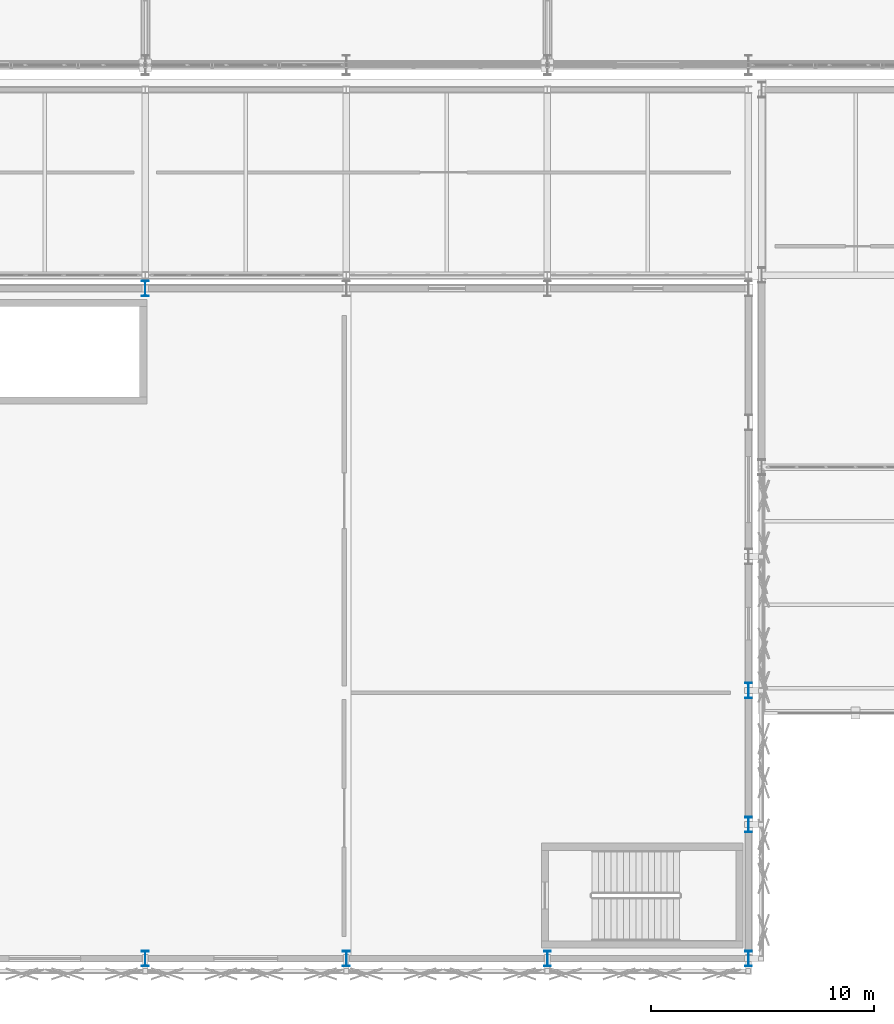
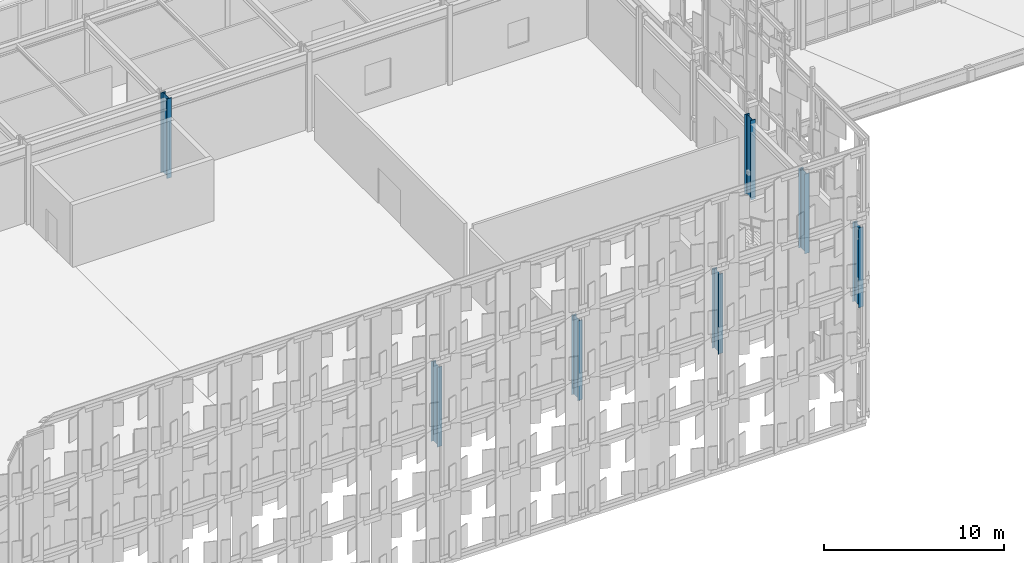
# One storey, part 3 of 239: 7 columns.
"""IFC4 building model written with IfcOpenShell, lengths in metres."""

from ifc_helpers import new_model, si_unit, direction, frame, origin, origin_2d, place, context, subcontext, project, spatial, i_section, extrude, material, material_profile, profile_set, type_object, element, save


model = new_model("IFC4")

# Units and contexts
model_context = context("Model", 3, precision=1e-05, world=origin(), true_north=direction((0.0, 1.0)))
body_context = subcontext(model_context, "Body", "Model", "MODEL_VIEW")
ifc_project = project(units=[si_unit("LENGTHUNIT", "METRE"), si_unit("AREAUNIT", "SQUARE_METRE"), si_unit("VOLUMEUNIT", "CUBIC_METRE"), si_unit("PLANEANGLEUNIT", "RADIAN"), si_unit("MASSUNIT", "GRAM", prefix="KILO")], contexts=[model_context])

# Site, building, storey
site_placement = place(None, origin())
site = spatial("IfcSite", under=ifc_project, at=site_placement, CompositionType="ELEMENT")
building_placement = place(site_placement, origin())
building = spatial("IfcBuilding", under=site, at=building_placement, Name="Kaldris Quays Convention Centre", CompositionType="ELEMENT")
storey_placement = place(building_placement, frame((0.0, 0.0, 11.39990234375)))
storey = spatial("IfcBuildingStorey", under=building, at=storey_placement, Name="L02", CompositionType="ELEMENT", Elevation=11.39990234375)

# Columns
ifc_material = material(Name="Steel S355J2", Category="steel")
ifc_material_profile = material_profile(ifc_material, i_section(OverallWidth=0.300048828125, OverallDepth=0.699951171875, WebThickness=0.01708984375, FlangeThickness=0.031982421875, FilletRadius=0.027099609375, at=origin_2d()), Name="HEB 700")
ifc_profile_set = profile_set([ifc_material_profile], Name="Steel S355J2")
column_type = type_object("IfcColumnType", Name="STRUCTURAL COLUMN CL05", PredefinedType="COLUMN", material=ifc_profile_set)
for number, where, z_axis, x_axis, name in (
    (1, (56.0, 16.0, 0.0), (0.0, 0.0, 1.0), (1.0, 0.0, 0.0), "L02 V3 Column CL05 (56.00, 16.00)"),
    (2, (56.0, 46.0, 0.0), (0.0, 0.0, 1.0), (1.0, 0.0, 0.0), "L02 V3 Column CL05 (56.00, 46.00)"),
    (3, (65.0, 16.0, 0.0), (0.0, 0.0, 1.0), (1.0, 0.0, 0.0), "L02 V3 Column CL05 (65.00, 16.00)"),
    (4, (74.0, 16.0, 0.0), (0.0, 0.0, 1.0), (1.0, 0.0, 0.0), "L02 V3 Column CL05 (74.00, 16.00)"),
    (5, (83.0, 16.0, 0.0), (0.0, 0.0, 1.0), (1.0, 0.0, 0.0), "L02 V3 Column CL05 (83.00, 16.00)"),
    (6, (83.0, 22.0, 0.0), (0.0, 0.0, 1.0), (1.0, 0.0, 0.0), "L02 V3 Column CL05 (83.00, 22.00)"),
    (7, (83.0, 28.0, 0.0), (0.0, 0.0, 1.0), (1.0, 0.0, 0.0), "L02 V3 Column CL05 (83.00, 28.00)"),
):
    element("IfcColumn", number, at=place(storey_placement, frame(where, z_axis=z_axis, x_axis=x_axis)), inside=storey, type_object=column_type, Name=name, PredefinedType="COLUMN", context=body_context, shape_type="SweptSolid", body=[
        extrude(i_section(OverallWidth=0.300048828125, OverallDepth=0.699951171875, WebThickness=0.01708984375, FlangeThickness=0.031982421875, FilletRadius=0.027099609375, at=origin_2d()), origin(), (0.0, 0.0, 1.0), 5.400146484375),
    ])

save(model, "model.ifc")
